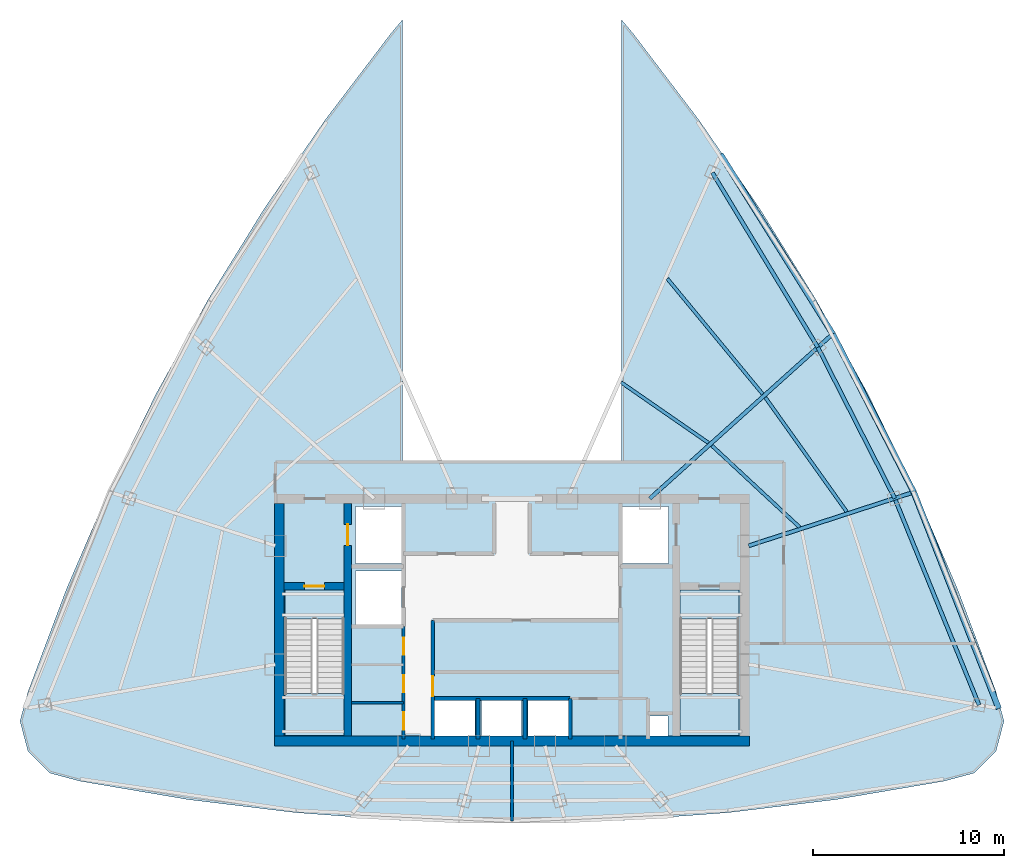
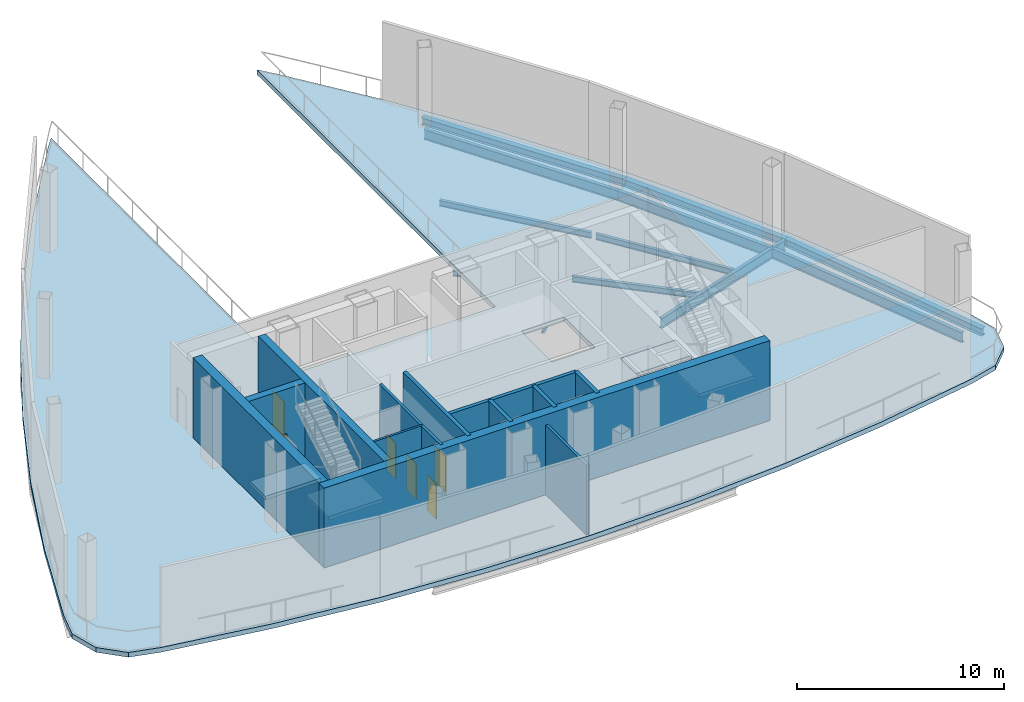
# One storey, part 2 of 6: 12 beams, 12 walls, 6 doors, 5 slabs, 6 openings, 2 elements without a shape of their own.
"""IFC4 building model written with IfcOpenShell, lengths in metres."""

from ifc_helpers import new_model, si_unit, direction, frame, frame_2d, origin, origin_with_axes, origin_2d, place, context, subcontext, project, spatial, polyline, rectangle, i_section, outline, extrude, source, transform, mapped, material, layer, layer_set, material_profile, profile_set, type_object, element, fill, aggregate, save


model = new_model("IFC4")

# Units and contexts
model_context = context("Model", 3, precision=1e-05, world=origin(), true_north=direction((0.0, 1.0)))
body_context = subcontext(model_context, "Body", "Model", "MODEL_VIEW")
ifc_project = project(units=[si_unit("LENGTHUNIT", "METRE"), si_unit("AREAUNIT", "SQUARE_METRE"), si_unit("VOLUMEUNIT", "CUBIC_METRE"), si_unit("PLANEANGLEUNIT", "RADIAN"), si_unit("MASSUNIT", "GRAM", prefix="KILO"), si_unit("THERMODYNAMICTEMPERATUREUNIT", "KELVIN"), si_unit("POWERUNIT", "WATT")], contexts=[model_context])

# Site, building, storey
site_placement = place(None, origin())
site = spatial("IfcSite", under=ifc_project, at=site_placement, CompositionType="ELEMENT")
building_placement = place(site_placement, origin())
building = spatial("IfcBuilding", under=site, at=building_placement, Name="Yunzhuo Pagoda Commons", CompositionType="ELEMENT")
storey_placement = place(building_placement, frame((0.0, 0.0, 371.760009765625)))
storey = spatial("IfcBuildingStorey", under=building, at=storey_placement, Name="L93", CompositionType="ELEMENT", Elevation=371.760009765625)

# Beams
ifc_material_1 = material(Name="Structural steel Q355B", Category="steel")
ifc_material_profile_1 = material_profile(ifc_material_1, i_section(OverallWidth=0.199951171875, OverallDepth=0.60009765625, WebThickness=0.010986328125, FlangeThickness=0.01708984375, at=origin_2d()), Name="Structural steel Q355B")
ifc_profile_set_1 = profile_set([ifc_material_profile_1], Name="Structural steel Q355B")
beam_type_1 = type_object("IfcBeamType", Name="B-RG3 Beam HN 600x200x11x17", PredefinedType="BEAM", material=ifc_profile_set_1)
shared_shape_1 = source(origin(), body_context, "Body", "SweptSolid", [
    extrude(i_section(OverallWidth=0.199951171875, OverallDepth=0.60009765625, WebThickness=0.010986328125, FlangeThickness=0.01708984375, at=origin_2d()), origin(), (0.0, 0.0, 1.0), 11.696533203125),
])
beam_1_placement = place(storey_placement, frame((72.47021484375, 29.38525390625, -0.580078125), z_axis=(-0.377611800863, 0.925963999219, 0.0), x_axis=(-0.925963999219, -0.377611800863, 0.0)))
element("IfcBeam", 1, at=beam_1_placement, inside=storey, type_object=beam_type_1, Name="L93 column-ring beam 5", PredefinedType="BEAM", context=body_context, shape_type="MappedRepresentation", body=[
    mapped(shared_shape_1, transform((0.0, 0.0, 0.0), scale=1.0)),
])
shared_shape_2 = source(origin(), body_context, "Body", "SweptSolid", [
    extrude(i_section(OverallWidth=0.199951171875, OverallDepth=0.60009765625, WebThickness=0.010986328125, FlangeThickness=0.01708984375, at=origin_2d()), origin(), (0.0, 0.0, 1.0), 8.87939453125),
])
beam_2_placement = place(storey_placement, frame((68.053466796875, 40.2158203125, -0.580078125), z_axis=(-0.453723535687, 0.891142498798, 0.0), x_axis=(-0.891142498798, -0.453723535687, 0.0)))
element("IfcBeam", 2, at=beam_2_placement, inside=storey, type_object=beam_type_1, Name="L93 column-ring beam 6", PredefinedType="BEAM", context=body_context, shape_type="MappedRepresentation", body=[
    mapped(shared_shape_2, transform((0.0, 0.0, 0.0), scale=1.0)),
])
shared_shape_3 = source(origin(), body_context, "Body", "SweptSolid", [
    extrude(i_section(OverallWidth=0.199951171875, OverallDepth=0.60009765625, WebThickness=0.010986328125, FlangeThickness=0.01708984375, at=origin_2d()), origin(), (0.0, 0.0, 1.0), 10.691162109375),
])
beam_3_placement = place(storey_placement, frame((64.024658203125, 48.128662109375, -0.580078125), z_axis=(-0.516864678433, 0.856067114301, 0.0), x_axis=(-0.856067114301, -0.516864678433, 0.0)))
element("IfcBeam", 3, at=beam_3_placement, inside=storey, type_object=beam_type_1, Name="L93 column-ring beam 7", PredefinedType="BEAM", context=body_context, shape_type="MappedRepresentation", body=[
    mapped(shared_shape_3, transform((0.0, 0.0, 0.0), scale=1.0)),
])
ifc_material_profile_2 = material_profile(ifc_material_1, i_section(OverallWidth=0.175048828125, OverallDepth=0.35009765625, WebThickness=0.007080078125, FlangeThickness=0.010986328125, at=origin_2d()), Name="Structural steel Q355B")
ifc_profile_set_2 = profile_set([ifc_material_profile_2], Name="Structural steel Q355B")
beam_type_2 = type_object("IfcBeamType", Name="B-JS2 Joist HN 350x175x7x11", PredefinedType="JOIST", material=ifc_profile_set_2)
shared_shape_4 = source(origin(), body_context, "Body", "SweptSolid", [
    extrude(i_section(OverallWidth=0.175048828125, OverallDepth=0.35009765625, WebThickness=0.007080078125, FlangeThickness=0.010986328125, at=origin_2d()), origin(), (0.0, 0.0, 1.0), 6.277099609375),
])
beam_4_placement = place(storey_placement, frame((63.071044921875, 38.702392578125, -0.455078125), z_axis=(-0.73244154109, 0.68082992655, 0.0), x_axis=(-0.68082992655, -0.73244154109, 0.0)))
element("IfcBeam", 4, at=beam_4_placement, inside=storey, type_object=beam_type_2, Name="L93 composite ring joist 1.6", PredefinedType="JOIST", context=body_context, shape_type="MappedRepresentation", body=[
    mapped(shared_shape_4, transform((0.0, 0.0, 0.0), scale=1.0)),
])
shared_shape_5 = source(origin(), body_context, "Body", "SweptSolid", [
    extrude(i_section(OverallWidth=0.175048828125, OverallDepth=0.35009765625, WebThickness=0.007080078125, FlangeThickness=0.010986328125, at=origin_2d()), origin(), (0.0, 0.0, 1.0), 7.347900390625),
])
beam_5_placement = place(storey_placement, frame((65.53759765625, 39.513671875, -0.455078125), z_axis=(-0.580294898948, 0.814406428177, 0.0), x_axis=(-0.814406428177, -0.580294898948, 0.0)))
element("IfcBeam", 5, at=beam_5_placement, inside=storey, type_object=beam_type_2, Name="L93 composite ring joist 2.6", PredefinedType="JOIST", context=body_context, shape_type="MappedRepresentation", body=[
    mapped(shared_shape_5, transform((0.0, 0.0, 0.0), scale=1.0)),
])
shared_shape_6 = source(origin(), body_context, "Body", "SweptSolid", [
    extrude(i_section(OverallWidth=0.175048828125, OverallDepth=0.35009765625, WebThickness=0.007080078125, FlangeThickness=0.010986328125, at=origin_2d()), origin(), (0.0, 0.0, 1.0), 5.556640625),
])
beam_6_placement = place(storey_placement, frame((58.29443359375, 43.119873046875, -0.455078125), z_axis=(-0.822084621883, 0.569365326011, 0.0), x_axis=(-0.569365326011, -0.822084621883, 0.0)))
element("IfcBeam", 6, at=beam_6_placement, inside=storey, type_object=beam_type_2, Name="L93 composite ring joist 1.7", PredefinedType="JOIST", context=body_context, shape_type="MappedRepresentation", body=[
    mapped(shared_shape_6, transform((0.0, 0.0, 0.0), scale=1.0)),
])
shared_shape_7 = source(origin(), body_context, "Body", "SweptSolid", [
    extrude(i_section(OverallWidth=0.175048828125, OverallDepth=0.35009765625, WebThickness=0.007080078125, FlangeThickness=0.010986328125, at=origin_2d()), origin(), (0.0, 0.0, 1.0), 7.842529296875),
])
beam_7_placement = place(storey_placement, frame((61.133544921875, 45.68017578125, -0.455078125), z_axis=(-0.636899145749, 0.770947130577, 0.0), x_axis=(-0.770947130577, -0.636899145749, 0.0)))
element("IfcBeam", 7, at=beam_7_placement, inside=storey, type_object=beam_type_2, Name="L93 composite ring joist 2.7", PredefinedType="JOIST", context=body_context, shape_type="MappedRepresentation", body=[
    mapped(shared_shape_7, transform((0.0, 0.0, 0.0), scale=1.0)),
])
shared_shape_8 = source(origin(), body_context, "Body", "SweptSolid", [
    extrude(i_section(OverallWidth=0.199951171875, OverallDepth=0.60009765625, WebThickness=0.010986328125, FlangeThickness=0.01708984375, at=origin_2d()), origin(), (0.0, 0.0, 1.0), 8.942626953125),
])
beam_8_placement = place(storey_placement, frame((68.90478515625, 40.492431640625, -0.580078125), z_axis=(-0.951055734301, -0.309019401095, 0.0), x_axis=(0.309019401095, -0.951055734301, 0.0)))
element("IfcBeam", 8, at=beam_8_placement, inside=storey, type_object=beam_type_1, Name="L93 radial floor girder F2C2", PredefinedType="BEAM", context=body_context, shape_type="MappedRepresentation", body=[
    mapped(shared_shape_8, transform((0.0, 0.0, 0.0), scale=1.0)),
])
shared_shape_9 = source(origin(), body_context, "Body", "SweptSolid", [
    extrude(i_section(OverallWidth=0.199951171875, OverallDepth=0.60009765625, WebThickness=0.010986328125, FlangeThickness=0.01708984375, at=origin_2d()), origin(), (0.0, 0.0, 1.0), 12.744140625),
])
beam_9_placement = place(storey_placement, frame((64.689697265625, 48.7275390625, -0.580078125), z_axis=(-0.743139811769, -0.669136174605, 0.0), x_axis=(0.669136174605, -0.743139811769, 0.0)))
element("IfcBeam", 9, at=beam_9_placement, inside=storey, type_object=beam_type_1, Name="L93 radial floor girder F2C3", PredefinedType="BEAM", context=body_context, shape_type="MappedRepresentation", body=[
    mapped(shared_shape_9, transform((0.0, 0.0, 0.0), scale=1.0)),
])
ifc_material_profile_3 = material_profile(ifc_material_1, i_section(OverallWidth=0.300048828125, OverallDepth=0.43994140625, WebThickness=0.010986328125, FlangeThickness=0.01806640625, at=origin_2d()), Name="Structural steel Q355B")
ifc_profile_set_3 = profile_set([ifc_material_profile_3], Name="Structural steel Q355B")
beam_type_3 = type_object("IfcBeamType", Name="B-SP2 Beam HM 440x300x11x18", PredefinedType="BEAM", material=ifc_profile_set_3)
shared_shape_10 = source(origin(), body_context, "Body", "SweptSolid", [
    extrude(i_section(OverallWidth=0.300048828125, OverallDepth=0.43994140625, WebThickness=0.010986328125, FlangeThickness=0.01806640625, at=origin_2d()), origin(), (0.0, 0.0, 1.0), 12.18017578125),
])
beam_10_placement = place(storey_placement, frame((73.504150390625, 29.202880859375, -0.5), z_axis=(-0.365522138301, 0.930802646328, 0.0), x_axis=(-0.930802646328, -0.365522138301, 0.0)))
element("IfcBeam", 10, at=beam_10_placement, inside=storey, type_object=beam_type_3, Name="L93 facade edge spandrel beam F2.1", PredefinedType="BEAM", context=body_context, shape_type="MappedRepresentation", body=[
    mapped(shared_shape_10, transform((0.0, 0.0, 0.0), scale=1.0)),
])
shared_shape_11 = source(origin(), body_context, "Body", "SweptSolid", [
    extrude(i_section(OverallWidth=0.300048828125, OverallDepth=0.43994140625, WebThickness=0.010986328125, FlangeThickness=0.01806640625, at=origin_2d()), origin(), (0.0, 0.0, 1.0), 9.3154296875),
])
beam_11_placement = place(storey_placement, frame((69.052001953125, 40.540283203125, -0.5), z_axis=(-0.455914353887, 0.89002365245, 0.0), x_axis=(-0.89002365245, -0.455914353887, 0.0)))
element("IfcBeam", 11, at=beam_11_placement, inside=storey, type_object=beam_type_3, Name="L93 facade edge spandrel beam F2.2", PredefinedType="BEAM", context=body_context, shape_type="MappedRepresentation", body=[
    mapped(shared_shape_11, transform((0.0, 0.0, 0.0), scale=1.0)),
])
shared_shape_12 = source(origin(), body_context, "Body", "SweptSolid", [
    extrude(i_section(OverallWidth=0.300048828125, OverallDepth=0.43994140625, WebThickness=0.010986328125, FlangeThickness=0.01806640625, at=origin_2d()), origin(), (0.0, 0.0, 1.0), 11.094482421875),
])
beam_12_placement = place(storey_placement, frame((64.804931640625, 48.831298828125, -0.5), z_axis=(-0.529915860294, 0.848050223164, 0.0), x_axis=(-0.848050223164, -0.529915860294, 0.0)))
element("IfcBeam", 12, at=beam_12_placement, inside=storey, type_object=beam_type_3, Name="L93 facade edge spandrel beam F2.3", PredefinedType="BEAM", context=body_context, shape_type="MappedRepresentation", body=[
    mapped(shared_shape_12, transform((0.0, 0.0, 0.0), scale=1.0)),
])

# Stair, slabs
ifc_material_2 = material(Name="Concrete C40", Category="concrete")
stair_type_1 = type_object("IfcStairType", Name="ST-C1 Core Smokeproof Stair ST1", PredefinedType="HALF_TURN_STAIR", material=ifc_material_2)
stair_1_placement = place(storey_placement, origin())
stair_1 = element("IfcStair", 13, at=stair_1_placement, inside=storey, type_object=stair_type_1, Name="L93 Core smokeproof stair ST1", PredefinedType="HALF_TURN_STAIR")
ifc_layer_1 = layer(ifc_material_2, 0.199951171875)
ifc_layer_set_1 = layer_set([ifc_layer_1], Name="Concrete C40")
slab_type_1 = type_object("IfcSlabType", Name="SL-LND1 Stair Landing Slab 200", PredefinedType="LANDING", material=ifc_layer_set_1)
slab_1_placement = place(storey_placement, frame((0.0, 0.0, 2.300048828125)))
slab_1 = element("IfcSlab", 14, at=slab_1_placement, type_object=slab_type_1, Name="ST1 landing 1", PredefinedType="LANDING", context=body_context, shape_type="SweptSolid", body=[
    extrude(outline(polyline([(36.10009765625, 29.97998046875), (36.10009765625, 27.800048828125), (39.199951171875, 27.800048828125), (39.199951171875, 29.97998046875), (36.10009765625, 29.97998046875)])), origin(), (0.0, 0.0, 1.0), 0.199951171875),
])
slab_2_placement = place(storey_placement, frame((0.0, 0.0, -0.199951171875)))
slab_2 = element("IfcSlab", 15, at=slab_2_placement, type_object=slab_type_1, Name="ST1 floor landing L93", PredefinedType="LANDING", context=body_context, shape_type="SweptSolid", body=[
    extrude(outline(polyline([(36.10009765625, 35.39990234375), (36.10009765625, 33.89990234375), (39.199951171875, 33.89990234375), (39.199951171875, 35.39990234375), (36.10009765625, 35.39990234375)])), origin(), (0.0, 0.0, 1.0), 0.199951171875),
])
aggregate(stair_1, [slab_1, slab_2])

stair_type_2 = type_object("IfcStairType", Name="ST-C2 Core Smokeproof Stair ST2", PredefinedType="HALF_TURN_STAIR", material=ifc_material_2)
stair_2_placement = place(storey_placement, origin())
stair_2 = element("IfcStair", 16, at=stair_2_placement, inside=storey, type_object=stair_type_2, Name="L93 Core smokeproof stair ST2", PredefinedType="HALF_TURN_STAIR")
ifc_layer_2 = layer(ifc_material_2, 0.201904296875)
ifc_layer_set_2 = layer_set([ifc_layer_2], Name="Concrete C40")
slab_type_2 = type_object("IfcSlabType", Name="SL-LND2 Stair Landing Slab 202", PredefinedType="LANDING", material=ifc_layer_set_2)
slab_3_placement = place(storey_placement, frame((0.0, 0.0, 2.300048828125)))
slab_3 = element("IfcSlab", 17, at=slab_3_placement, type_object=slab_type_2, Name="ST2 landing 1", PredefinedType="LANDING", context=body_context, shape_type="SweptSolid", body=[
    extrude(outline(polyline([(56.800048828125, 29.97998046875), (56.800048828125, 27.800048828125), (59.89990234375, 27.800048828125), (59.89990234375, 29.97998046875), (56.800048828125, 29.97998046875)])), origin(), (0.0, 0.0, 1.0), 0.199951171875),
])
slab_4_placement = place(storey_placement, frame((0.0, 0.0, -0.199951171875)))
slab_4 = element("IfcSlab", 18, at=slab_4_placement, type_object=slab_type_2, Name="ST2 floor landing L93", PredefinedType="LANDING", context=body_context, shape_type="SweptSolid", body=[
    extrude(outline(polyline([(56.800048828125, 35.39990234375), (56.800048828125, 33.89990234375), (59.89990234375, 33.89990234375), (59.89990234375, 35.39990234375), (56.800048828125, 35.39990234375)])), origin(), (0.0, 0.0, 1.0), 0.199951171875),
])
aggregate(stair_2, [slab_3, slab_4])

# Slab
ifc_layer_3 = layer(ifc_material_2, 0.280029296875)
ifc_layer_set_3 = layer_set([ifc_layer_3], Name="Concrete C40")
slab_type_3 = type_object("IfcSlabType", Name="SL-POD Podium & Refuge Floor Slab 280", PredefinedType="FLOOR", material=ifc_layer_set_3)
slab_5_placement = place(storey_placement, frame((0.0, 0.0, -0.280029296875)))
element("IfcSlab", 19, at=slab_5_placement, inside=storey, type_object=slab_type_3, Name="L93 wind portal wing floor slab 1", PredefinedType="FLOOR", context=body_context, shape_type="SweptSolid", body=[
    extrude(outline(polyline([(57.7939453125, 60.038818359375), (60.981689453125, 55.397705078125), (63.931396484375, 50.61767578125), (66.643310546875, 45.69873046875), (69.1171875, 40.64111328125), (71.35302734375, 35.4443359375), (73.35107421875, 30.10888671875), (73.7783203125, 28.541259765625), (73.3623046875, 26.970458984375), (72.21533203125, 25.819580078125), (70.646240234375, 25.39794921875), (64.984619140625, 24.43359375), (59.322998046875, 23.7451171875), (53.66162109375, 23.331787109375), (48.0, 23.194091796875), (42.33837890625, 23.331787109375), (36.677001953125, 23.7451171875), (31.015380859375, 24.43359375), (25.353759765625, 25.39794921875), (23.78466796875, 25.819580078125), (22.6376953125, 26.970458984375), (22.2216796875, 28.541259765625), (22.64892578125, 30.10888671875), (24.64697265625, 35.4443359375), (26.8828125, 40.64111328125), (29.356689453125, 45.69873046875), (32.068603515625, 50.61767578125), (35.018310546875, 55.397705078125), (38.2060546875, 60.038818359375), (41.631591796875, 64.541015625), (42.25, 65.27734375), (42.25, 42.199951171875), (53.75, 42.199951171875), (53.75, 65.27734375), (54.368408203125, 64.541015625), (57.7939453125, 60.038818359375)]), holes=[polyline([(56.179931640625, 28.800048828125), (55.179931640625, 28.800048828125), (55.179931640625, 27.699951171875), (56.179931640625, 27.699951171875), (56.179931640625, 28.800048828125)]), polyline([(46.050048828125, 29.64990234375), (43.949951171875, 29.64990234375), (43.949951171875, 27.60009765625), (46.050048828125, 27.60009765625), (46.050048828125, 29.64990234375)]), polyline([(48.5, 29.64990234375), (46.39990234375, 29.64990234375), (46.39990234375, 27.60009765625), (48.5, 27.60009765625), (48.5, 29.64990234375)]), polyline([(50.949951171875, 29.64990234375), (48.85009765625, 29.64990234375), (48.85009765625, 27.60009765625), (50.949951171875, 27.60009765625), (50.949951171875, 29.64990234375)]), polyline([(39.199951171875, 27.800048828125), (39.199951171875, 35.39990234375), (36.10009765625, 35.39990234375), (36.10009765625, 27.800048828125), (39.199951171875, 27.800048828125)]), polyline([(59.89990234375, 27.800048828125), (59.89990234375, 35.39990234375), (56.800048828125, 35.39990234375), (56.800048828125, 27.800048828125), (59.89990234375, 27.800048828125)]), polyline([(42.199951171875, 36.39990234375), (39.800048828125, 36.39990234375), (39.800048828125, 33.60009765625), (42.199951171875, 33.60009765625), (42.199951171875, 36.39990234375)]), polyline([(42.199951171875, 36.800048828125), (42.199951171875, 39.800048828125), (39.800048828125, 39.800048828125), (39.800048828125, 36.800048828125), (42.199951171875, 36.800048828125)]), polyline([(56.199951171875, 36.800048828125), (56.199951171875, 39.800048828125), (53.800048828125, 39.800048828125), (53.800048828125, 36.800048828125), (56.199951171875, 36.800048828125)])]), origin(), (0.0, 0.0, 1.0), 0.280029296875),
])

# Walls
ifc_material_3 = material(Name="Concrete C50", Category="concrete")
ifc_layer_4 = layer(ifc_material_3, 0.5)
ifc_layer_set_4 = layer_set([ifc_layer_4], Name="Concrete C50")
wall_type_1 = type_object("IfcWallType", Name="W-C03 Upper Core Shear Wall 500", PredefinedType="SHEAR", material=ifc_layer_set_4)
wall_1_placement = place(storey_placement, frame((35.550048828125, 27.5, 0.0), z_axis=(0.0, 0.0, 1.0), x_axis=(1.0, 0.0, 0.0)))
element("IfcWall", 20, at=wall_1_placement, inside=storey, type_object=wall_type_1, Name="L93 core shear wall S", PredefinedType="SHEAR", context=body_context, shape_type="SweptSolid", body=[
    extrude(rectangle(XDim=24.89990234375, YDim=0.5, at=frame_2d((12.449951171875, 0.0))), origin(), (0.0, 0.0, 1.0), 4.719970703125),
])
wall_2_placement = place(storey_placement, frame((35.800048828125, 27.75, 0.0), z_axis=(0.0, 0.0, 1.0), x_axis=(0.0, 1.0, 0.0)))
element("IfcWall", 21, at=wall_2_placement, inside=storey, type_object=wall_type_1, Name="L93 core shear wall W", PredefinedType="SHEAR", context=body_context, shape_type="SweptSolid", body=[
    extrude(rectangle(XDim=12.199951171875, YDim=0.5, at=frame_2d((6.10009765625, 0.0))), origin(), (0.0, 0.0, 1.0), 4.719970703125),
])

# Wall, openings, doors
ifc_material_4 = material(Name="Gypsum plasterboard on acoustic stud")
ifc_layer_5 = layer(ifc_material_4, 0.14990234375)
ifc_layer_set_5 = layer_set([ifc_layer_5], Name="Gypsum plasterboard on acoustic stud")
wall_type_2 = type_object("IfcWallType", Name="W-COR3 High-Zone Rated Corridor Wall 150", PredefinedType="PARTITIONING", material=ifc_layer_set_5)
wall_3_placement = place(storey_placement, frame((42.320068359375, 27.60009765625, 0.0), z_axis=(0.0, 0.0, 1.0), x_axis=(0.0, 1.0, 0.0)))
wall_3 = element("IfcWall", 22, at=wall_3_placement, inside=storey, type_object=wall_type_2, Name="L93 interior wall IW-L93-CSWE", PredefinedType="PARTITIONING", context=body_context, shape_type="SweptSolid", body=[
    extrude(rectangle(XDim=5.89990234375, YDim=0.14990234375, at=frame_2d((2.949951171875, 0.0))), origin(), (0.0, 0.0, 1.0), 4.719970703125),
])
opening_1_placement = place(wall_3_placement, frame((0.5, 0.0, 0.0)))
opening_1 = element("IfcOpeningElement", 23, at=opening_1_placement, cuts=wall_3, Name="Opening D-03", PredefinedType="OPENING", context=body_context, shape_type="SweptSolid", body=[
    extrude(rectangle(XDim=0.89990234375, YDim=2.10009765625, at=frame_2d((0.449951171875, 1.050048828125))), frame((0.0, 0.0849609375, 0.0), z_axis=(0.0, -1.0, 0.0), x_axis=(1.0, 0.0, 0.0)), (0.0, 0.0, 1.0), 0.169921875),
])
opening_2_placement = place(wall_3_placement, frame((2.449951171875, 0.0, 0.0)))
opening_2 = element("IfcOpeningElement", 24, at=opening_2_placement, cuts=wall_3, Name="Opening D-03", PredefinedType="OPENING", context=body_context, shape_type="SweptSolid", body=[
    extrude(rectangle(XDim=0.89990234375, YDim=2.10009765625, at=frame_2d((0.449951171875, 1.050048828125))), frame((0.0, 0.0849609375, 0.0), z_axis=(0.0, -1.0, 0.0), x_axis=(1.0, 0.0, 0.0)), (0.0, 0.0, 1.0), 0.169921875),
])
opening_3_placement = place(wall_3_placement, frame((4.419921875, 0.0, 0.0)))
opening_3 = element("IfcOpeningElement", 25, at=opening_3_placement, cuts=wall_3, Name="Opening D-03", PredefinedType="OPENING", context=body_context, shape_type="SweptSolid", body=[
    extrude(rectangle(XDim=0.89990234375, YDim=2.10009765625, at=frame_2d((0.449951171875, 1.050048828125))), frame((0.0, 0.0849609375, 0.0), z_axis=(0.0, -1.0, 0.0), x_axis=(1.0, 0.0, 0.0)), (0.0, 0.0, 1.0), 0.169921875),
])
ifc_material_5 = material(Name="Galvanized fire-resisting metal leaf")
door_type_1 = type_object("IfcDoorType", Name="D-03 Core Service Fire Door 900x2100", OperationType="NOTDEFINED", PredefinedType="DOOR", material=ifc_material_5)
shared_shape_13 = source(origin(), body_context, "Body", "SweptSolid", [
    extrude(rectangle(XDim=0.89990234375, YDim=2.10009765625, at=frame_2d((0.449951171875, 1.050048828125))), frame((0.0, 0.02490234375, 0.0), z_axis=(0.0, -1.0, 0.0), x_axis=(1.0, 0.0, 0.0)), (0.0, 0.0, 1.0), 0.050048828125),
])
door_1_placement = place(opening_1_placement, origin_with_axes())
door_1 = element("IfcDoor", 26, at=door_1_placement, inside=storey, type_object=door_type_1, Name="L93 switch door", OperationType="SINGLE_SWING_RIGHT", OverallHeight=2.10009765625, OverallWidth=0.89990234375, PredefinedType="DOOR", context=body_context, shape_type="MappedRepresentation", body=[
    mapped(shared_shape_13, transform((0.0, 0.0, 0.0), scale=1.0)),
])
fill(opening_1, door_1)
door_2_placement = place(opening_2_placement, origin_with_axes())
door_2 = element("IfcDoor", 27, at=door_2_placement, inside=storey, type_object=door_type_1, Name="L93 cleaner door", OperationType="SINGLE_SWING_RIGHT", OverallHeight=2.10009765625, OverallWidth=0.89990234375, PredefinedType="DOOR", context=body_context, shape_type="MappedRepresentation", body=[
    mapped(shared_shape_13, transform((0.0, 0.0, 0.0), scale=1.0)),
])
fill(opening_2, door_2)
door_3_placement = place(opening_3_placement, origin_with_axes())
door_3 = element("IfcDoor", 28, at=door_3_placement, inside=storey, type_object=door_type_1, Name="L93 core maintenance door", OperationType="SINGLE_SWING_LEFT", OverallHeight=2.10009765625, OverallWidth=0.89990234375, PredefinedType="DOOR", context=body_context, shape_type="MappedRepresentation", body=[
    mapped(shared_shape_13, transform((0.0, 0.0, 0.0), scale=1.0)),
])
fill(opening_3, door_3)

# Walls
wall_4_placement = place(storey_placement, frame((48.0, 23.314208984375, 0.0), z_axis=(0.0, 0.0, 1.0), x_axis=(0.0, 1.0, 0.0)))
element("IfcWall", 29, at=wall_4_placement, inside=storey, type_object=wall_type_2, Name="L93 interior wall IW-L93-WPSDIV", PredefinedType="PARTITIONING", context=body_context, shape_type="SweptSolid", body=[
    extrude(rectangle(XDim=4.185791015625, YDim=0.14990234375, at=frame_2d((2.0927734375, 0.0))), origin(), (0.0, 0.0, 1.0), 4.119873046875),
])
ifc_layer_6 = layer(ifc_material_4, 0.1201171875)
ifc_layer_set_6 = layer_set([ifc_layer_6], Name="Gypsum plasterboard on acoustic stud")
wall_type_3 = type_object("IfcWallType", Name="W-PRT1 Suite & Bathroom Partition 120", PredefinedType="PARTITIONING", material=ifc_layer_set_6)
wall_5_placement = place(storey_placement, frame((39.60009765625, 29.5, 0.0), z_axis=(0.0, 0.0, 1.0), x_axis=(1.0, 0.0, 0.0)))
element("IfcWall", 30, at=wall_5_placement, inside=storey, type_object=wall_type_3, Name="L93 interior wall IW-L93-CC1", PredefinedType="PARTITIONING", context=body_context, shape_type="SweptSolid", body=[
    extrude(rectangle(XDim=2.719970703125, YDim=0.1201171875, at=frame_2d((1.35986328125, 0.0))), origin(), (0.0, 0.0, 1.0), 4.719970703125),
])

# Wall, opening, door
ifc_material_6 = material(Name="Concrete C60", Category="concrete")
ifc_layer_7 = layer(ifc_material_6, 0.39990234375)
ifc_layer_set_7 = layer_set([ifc_layer_7], Name="Concrete C60")
wall_type_4 = type_object("IfcWallType", Name="W-S01 Internal Core Shear Web 400", PredefinedType="SHEAR", material=ifc_layer_set_7)
wall_6_placement = place(storey_placement, frame((39.39990234375, 27.75, 0.0), z_axis=(0.0, 0.0, 1.0), x_axis=(0.0, 1.0, 0.0)))
wall_6 = element("IfcWall", 31, at=wall_6_placement, inside=storey, type_object=wall_type_4, Name="L93 core shear wall WEBW", PredefinedType="SHEAR", context=body_context, shape_type="SweptSolid", body=[
    extrude(rectangle(XDim=12.199951171875, YDim=0.39990234375, at=frame_2d((6.10009765625, 0.0))), origin(), (0.0, 0.0, 1.0), 4.719970703125),
])
opening_4_placement = place(wall_6_placement, frame((10.0, 0.0, 0.0)))
opening_4 = element("IfcOpeningElement", 32, at=opening_4_placement, cuts=wall_6, Name="Opening LD-01", PredefinedType="OPENING", context=body_context, shape_type="SweptSolid", body=[
    extrude(rectangle(XDim=1.10009765625, YDim=2.10009765625, at=frame_2d((0.550048828125, 1.050048828125))), frame((0.0, 0.2099609375, 0.0), z_axis=(0.0, -1.0, 0.0), x_axis=(1.0, 0.0, 0.0)), (0.0, 0.0, 1.0), 0.419921875),
])
door_type_2 = type_object("IfcDoorType", Name="LD-01 Firefighting Lift Landing Door 1100x2100", OperationType="DOUBLE_DOOR_SLIDING", PredefinedType="DOOR", material=ifc_material_5)
shared_shape_14 = source(origin(), body_context, "Body", "SweptSolid", [
    extrude(rectangle(XDim=1.10009765625, YDim=2.10009765625, at=frame_2d((0.550048828125, 1.050048828125))), frame((0.0, 0.02490234375, 0.0), z_axis=(0.0, -1.0, 0.0), x_axis=(1.0, 0.0, 0.0)), (0.0, 0.0, 1.0), 0.050048828125),
])
door_4_placement = place(opening_4_placement, frame((1.10009765625, 0.0, 0.0), z_axis=(0.0, 0.0, 1.0), x_axis=(-1.0, 0.0, 0.0)))
door_4 = element("IfcDoor", 33, at=door_4_placement, inside=storey, type_object=door_type_2, Name="L93 Firefighting lift FL-1 landing door", OperationType="DOUBLE_DOOR_SLIDING", OverallHeight=2.10009765625, OverallWidth=1.10009765625, PredefinedType="DOOR", context=body_context, shape_type="MappedRepresentation", body=[
    mapped(shared_shape_14, transform((0.0, 0.0, 0.0), scale=1.0)),
])
fill(opening_4, door_4)

wall_7_placement = place(storey_placement, frame((36.050048828125, 35.60009765625, 0.0), z_axis=(0.0, 0.0, 1.0), x_axis=(1.0, 0.0, 0.0)))
wall_7 = element("IfcWall", 34, at=wall_7_placement, inside=storey, type_object=wall_type_4, Name="L93 core shear wall STW", PredefinedType="SHEAR", context=body_context, shape_type="SweptSolid", body=[
    extrude(rectangle(XDim=3.14990234375, YDim=0.39990234375, at=frame_2d((1.574951171875, 0.0))), origin(), (0.0, 0.0, 1.0), 4.719970703125),
])
opening_5_placement = place(wall_7_placement, frame((1.070068359375, 0.0, 0.0)))
opening_5 = element("IfcOpeningElement", 35, at=opening_5_placement, cuts=wall_7, Name="Opening D-01", PredefinedType="OPENING", context=body_context, shape_type="SweptSolid", body=[
    extrude(rectangle(XDim=1.050048828125, YDim=2.10009765625, at=frame_2d((0.52490234375, 1.050048828125))), frame((0.0, 0.2099609375, 0.0), z_axis=(0.0, -1.0, 0.0), x_axis=(1.0, 0.0, 0.0)), (0.0, 0.0, 1.0), 0.419921875),
])
door_type_3 = type_object("IfcDoorType", Name="D-01 Smokeproof Stair Fire Door 1050x2100", OperationType="NOTDEFINED", PredefinedType="DOOR", material=ifc_material_5)
shared_shape_15 = source(origin(), body_context, "Body", "SweptSolid", [
    extrude(rectangle(XDim=1.050048828125, YDim=2.10009765625, at=frame_2d((0.52490234375, 1.050048828125))), frame((0.0, 0.02490234375, 0.0), z_axis=(0.0, -1.0, 0.0), x_axis=(1.0, 0.0, 0.0)), (0.0, 0.0, 1.0), 0.050048828125),
])
door_5_placement = place(opening_5_placement, frame((1.050048828125, 0.0, 0.0), z_axis=(0.0, 0.0, 1.0), x_axis=(-1.0, 0.0, 0.0)))
door_5 = element("IfcDoor", 36, at=door_5_placement, inside=storey, type_object=door_type_3, Name="L93 Stair ST1 fire door", OperationType="SINGLE_SWING_LEFT", OverallHeight=2.10009765625, OverallWidth=1.050048828125, PredefinedType="DOOR", context=body_context, shape_type="MappedRepresentation", body=[
    mapped(shared_shape_15, transform((0.0, 0.0, 0.0), scale=1.0)),
])
fill(opening_5, door_5)

ifc_layer_8 = layer(ifc_material_2, 0.199951171875)
ifc_layer_set_8 = layer_set([ifc_layer_8], Name="Concrete C40")
wall_type_5 = type_object("IfcWallType", Name="W-SHF Shaft & Stair Enclosure Wall 200", PredefinedType="SOLIDWALL", material=ifc_layer_set_8)
wall_8_placement = place(storey_placement, frame((43.85009765625, 27.60009765625, 0.0), z_axis=(0.0, 0.0, 1.0), x_axis=(0.0, 1.0, 0.0)))
wall_8 = element("IfcWall", 37, at=wall_8_placement, inside=storey, type_object=wall_type_5, Name="L93 interior wall IW-L93-PLMW", PredefinedType="SOLIDWALL", context=body_context, shape_type="SweptSolid", body=[
    extrude(rectangle(XDim=6.219970703125, YDim=0.199951171875, at=frame_2d((3.10986328125, 0.0))), origin(), (0.0, 0.0, 1.0), 4.719970703125),
])
opening_6_placement = place(wall_8_placement, frame((2.25, 0.0, 0.0)))
opening_6 = element("IfcOpeningElement", 38, at=opening_6_placement, cuts=wall_8, Name="Opening D-02", PredefinedType="OPENING", context=body_context, shape_type="SweptSolid", body=[
    extrude(rectangle(XDim=1.050048828125, YDim=2.10009765625, at=frame_2d((0.52490234375, 1.050048828125))), frame((0.0, 0.10986328125, 0.0), z_axis=(0.0, -1.0, 0.0), x_axis=(1.0, 0.0, 0.0)), (0.0, 0.0, 1.0), 0.219970703125),
])
door_type_4 = type_object("IfcDoorType", Name="D-02 Firefighting Lobby & Refuge Fire Door 1050x2100", OperationType="NOTDEFINED", PredefinedType="DOOR", material=ifc_material_5)
door_6_placement = place(opening_6_placement, frame((1.050048828125, 0.0, 0.0), z_axis=(0.0, 0.0, 1.0), x_axis=(-1.0, 0.0, 0.0)))
door_6 = element("IfcDoor", 39, at=door_6_placement, inside=storey, type_object=door_type_4, Name="L93 High-bank hall west door", OperationType="SINGLE_SWING_LEFT", OverallHeight=2.10009765625, OverallWidth=1.050048828125, PredefinedType="DOOR", context=body_context, shape_type="MappedRepresentation", body=[
    mapped(shared_shape_15, transform((0.0, 0.0, 0.0), scale=1.0)),
])
fill(opening_6, door_6)

# Walls
wall_9_placement = place(storey_placement, frame((43.85009765625, 29.719970703125, 0.0), z_axis=(0.0, 0.0, 1.0), x_axis=(1.0, 0.0, 0.0)))
element("IfcWall", 40, at=wall_9_placement, inside=storey, type_object=wall_type_5, Name="L93 interior wall IW-L93-PLHN", PredefinedType="SOLIDWALL", context=body_context, shape_type="SweptSolid", body=[
    extrude(rectangle(XDim=7.199951171875, YDim=0.199951171875, at=frame_2d((3.60009765625, 0.0))), origin(), (0.0, 0.0, 1.0), 4.719970703125),
])
for number, where, z_axis, x_axis, name in (
    (41, (51.050048828125, 27.60009765625, 0.0), (0.0, 0.0, 1.0), (0.0, 1.0, 0.0), "L93 interior wall IW-L93-PLHE"),
    (42, (46.22509765625, 27.60009765625, 0.0), (0.0, 0.0, 1.0), (0.0, 1.0, 0.0), "L93 interior wall IW-L93-PLHD1"),
    (43, (48.675048828125, 27.60009765625, 0.0), (0.0, 0.0, 1.0), (0.0, 1.0, 0.0), "L93 interior wall IW-L93-PLHD2"),
):
    element("IfcWall", number, at=place(storey_placement, frame(where, z_axis=z_axis, x_axis=x_axis)), inside=storey, type_object=wall_type_5, Name=name, PredefinedType="SOLIDWALL", context=body_context, shape_type="SweptSolid", body=[
        extrude(rectangle(XDim=2.119873046875, YDim=0.199951171875, at=frame_2d((1.06005859375, 0.0))), origin(), (0.0, 0.0, 1.0), 4.719970703125),
    ])

save(model, "model.ifc")
